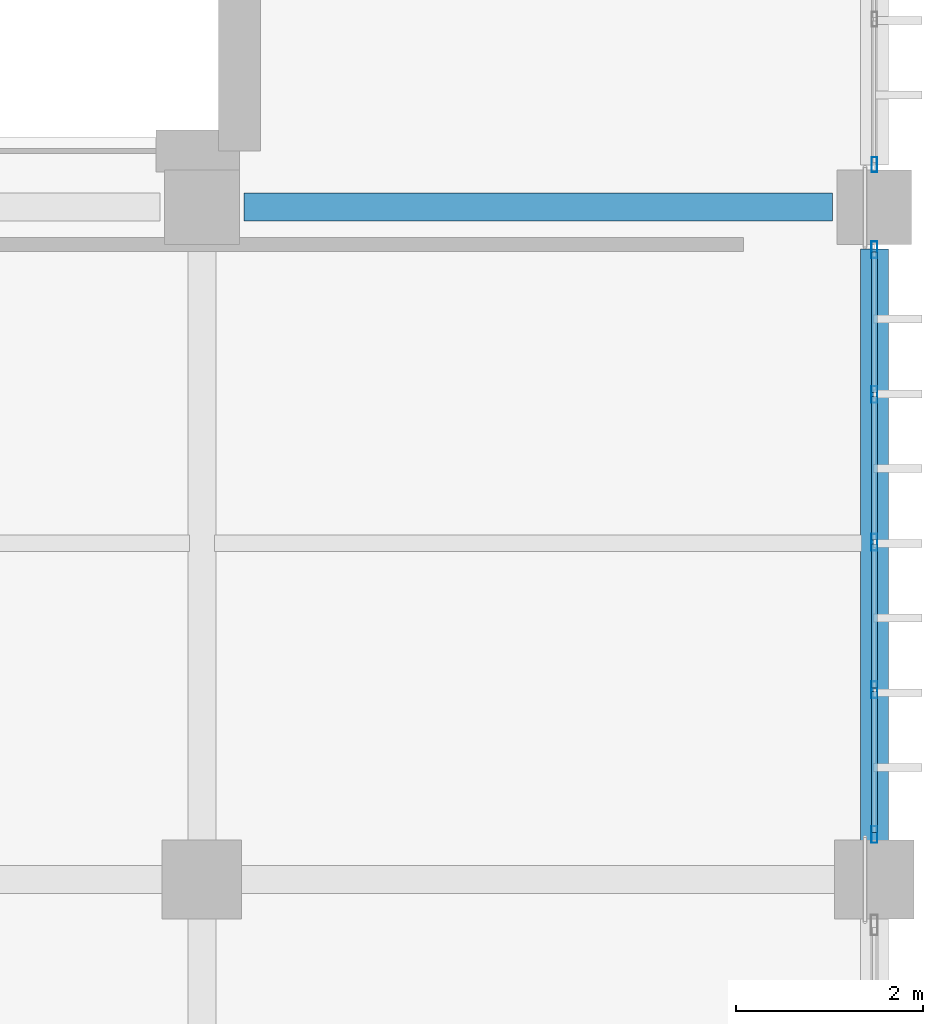
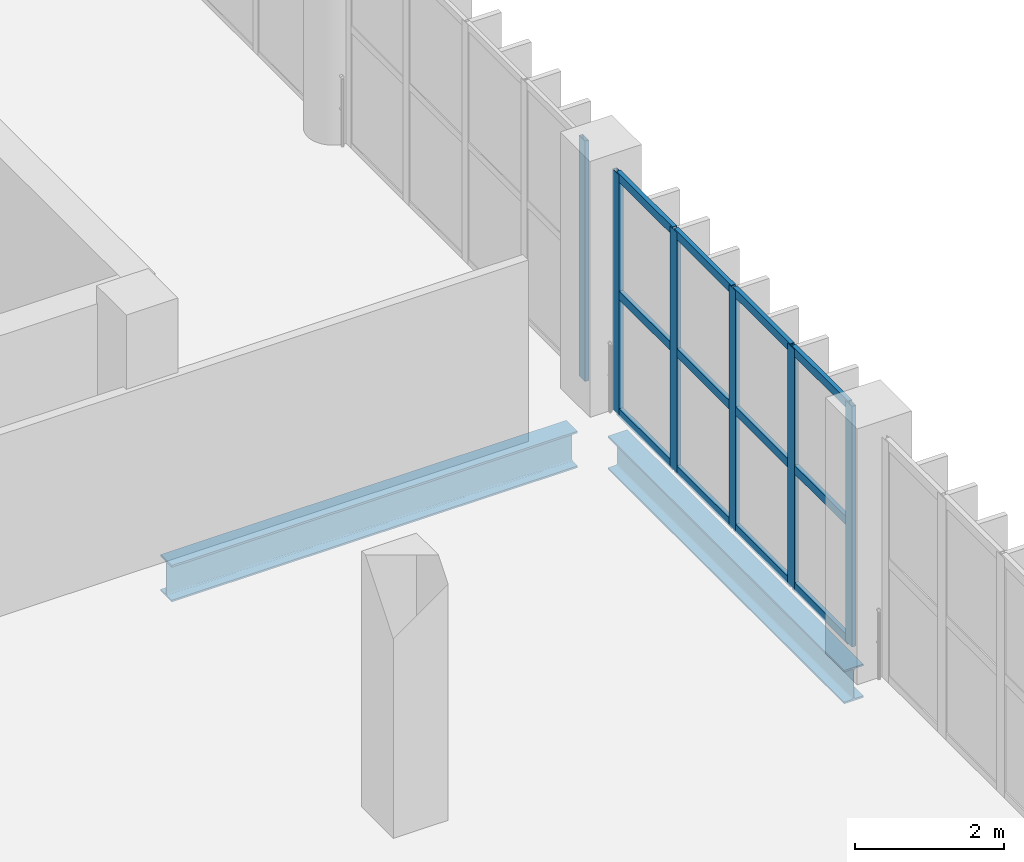
# One storey, part 88 of 153: 18 members, 2 beams, 2 elements without a shape of their own.
"""IFC4 building model written with IfcOpenShell, lengths in metres."""

from ifc_helpers import new_model, si_unit, direction, frame, origin, origin_2d, place, context, subcontext, project, spatial, hollow_rectangle, i_section, extrude, material, material_profile, profile_set, type_object, element, aggregate, save


model = new_model("IFC4")

# Units and contexts
model_context = context("Model", 3, precision=1e-05, world=origin(), true_north=direction((0.0, 1.0)))
body_context = subcontext(model_context, "Body", "Model", "MODEL_VIEW")
ifc_project = project(units=[si_unit("LENGTHUNIT", "METRE"), si_unit("AREAUNIT", "SQUARE_METRE"), si_unit("VOLUMEUNIT", "CUBIC_METRE"), si_unit("PLANEANGLEUNIT", "RADIAN"), si_unit("MASSUNIT", "GRAM", prefix="KILO")], contexts=[model_context])

# Site, building, storey
site_placement = place(None, origin())
site = spatial("IfcSite", under=ifc_project, at=site_placement, CompositionType="ELEMENT")
building_placement = place(site_placement, origin())
building = spatial("IfcBuilding", under=site, at=building_placement, Name="Qandorah Velis Arena", CompositionType="ELEMENT")
storey_placement = place(building_placement, frame((0.0, 0.0, 5.39990234375)))
storey = spatial("IfcBuildingStorey", under=building, at=storey_placement, Name="L01", CompositionType="ELEMENT", Elevation=5.39990234375)

# Curtain wall, member
ifc_material_1 = material(Name="Solar-control low-E double glazing", Category="glass")
curtain_wall_type_1 = type_object("IfcCurtainWallType", Name="ARC-CW-SYS23", PredefinedType="USERDEFINED", material=ifc_material_1)
curtain_wall_1_placement = place(storey_placement, origin())
curtain_wall_1 = element("IfcCurtainWall", 1, at=curtain_wall_1_placement, inside=storey, type_object=curtain_wall_type_1, Name="Unitised curtain wall L01-143", ObjectType="UNITISED CURTAIN WALL", PredefinedType="USERDEFINED")
ifc_material_2 = material(Name="Champagne-bronze anodized aluminium 6063-T6", Category="aluminium")
ifc_material_profile_1 = material_profile(ifc_material_2, hollow_rectangle(XDim=0.06005859375, YDim=0.159912109375, WallThickness=0.00341796875, at=origin_2d()), Name="ALU MULLION 60x160")
ifc_profile_set_1 = profile_set([ifc_material_profile_1], Name="Champagne-bronze anodized aluminium 6063-T6")
member_type_1 = type_object("IfcMemberType", Name="ARC-CWM-160", PredefinedType="MULLION", material=ifc_profile_set_1)
member_1_placement = place(storey_placement, frame((172.800048828125, 79.655029296875, -0.014892578125), z_axis=(0.0, 0.0, 1.0), x_axis=(-1.0, 0.0, 0.0)))
member_1 = element("IfcMember", 2, at=member_1_placement, type_object=member_type_1, Name="CW23 mullion 1", PredefinedType="MULLION", context=body_context, shape_type="SweptSolid", body=[
    extrude(hollow_rectangle(XDim=0.06005859375, YDim=0.159912109375, WallThickness=0.00341796875, at=origin_2d()), origin(), (0.0, 0.0, 1.0), 3.949951171875),
])
aggregate(curtain_wall_1, [member_1])

# Curtain wall, members
curtain_wall_type_2 = type_object("IfcCurtainWallType", Name="ARC-CW-SYS22", PredefinedType="USERDEFINED", material=ifc_material_1)
curtain_wall_2_placement = place(storey_placement, origin())
curtain_wall_2 = element("IfcCurtainWall", 3, at=curtain_wall_2_placement, inside=storey, type_object=curtain_wall_type_2, Name="Unitised curtain wall L01-142", ObjectType="UNITISED CURTAIN WALL", PredefinedType="USERDEFINED")
ifc_material_profile_2 = material_profile(ifc_material_2, hollow_rectangle(XDim=0.06494140625, YDim=0.179931640625, WallThickness=0.00341796875, at=origin_2d()), Name="ALU MULLION 65x180")
ifc_profile_set_2 = profile_set([ifc_material_profile_2], Name="Champagne-bronze anodized aluminium 6063-T6")
member_type_2 = type_object("IfcMemberType", Name="ARC-CWM-180", PredefinedType="MULLION", material=ifc_profile_set_2)
member_2_placement = place(storey_placement, frame((172.800048828125, 72.482421875, -0.014892578125), z_axis=(0.0, 0.0, 1.0), x_axis=(-1.0, 0.0, 0.0)))
member_2 = element("IfcMember", 4, at=member_2_placement, type_object=member_type_2, Name="CW22 mullion 1", PredefinedType="MULLION", context=body_context, shape_type="SweptSolid", body=[
    extrude(hollow_rectangle(XDim=0.06494140625, YDim=0.179931640625, WallThickness=0.00341796875, at=origin_2d()), origin(), (0.0, 0.0, 1.0), 3.949951171875),
])
member_3_placement = place(storey_placement, frame((172.800048828125, 74.03125, -0.014892578125), z_axis=(0.0, 0.0, 1.0), x_axis=(-1.0, 0.0, 0.0)))
member_3 = element("IfcMember", 5, at=member_3_placement, type_object=member_type_2, Name="CW22 mullion 2", PredefinedType="MULLION", context=body_context, shape_type="SweptSolid", body=[
    extrude(hollow_rectangle(XDim=0.06494140625, YDim=0.179931640625, WallThickness=0.00341796875, at=origin_2d()), origin(), (0.0, 0.0, 1.0), 3.949951171875),
])
member_4_placement = place(storey_placement, frame((172.800048828125, 75.612548828125, -0.014892578125), z_axis=(0.0, 0.0, 1.0), x_axis=(-1.0, 0.0, 0.0)))
member_4 = element("IfcMember", 6, at=member_4_placement, type_object=member_type_2, Name="CW22 mullion 3", PredefinedType="MULLION", context=body_context, shape_type="SweptSolid", body=[
    extrude(hollow_rectangle(XDim=0.06494140625, YDim=0.179931640625, WallThickness=0.00341796875, at=origin_2d()), origin(), (0.0, 0.0, 1.0), 3.949951171875),
])
member_5_placement = place(storey_placement, frame((172.800048828125, 77.19384765625, -0.014892578125), z_axis=(0.0, 0.0, 1.0), x_axis=(-1.0, 0.0, 0.0)))
member_5 = element("IfcMember", 7, at=member_5_placement, type_object=member_type_2, Name="CW22 mullion 4", PredefinedType="MULLION", context=body_context, shape_type="SweptSolid", body=[
    extrude(hollow_rectangle(XDim=0.06494140625, YDim=0.179931640625, WallThickness=0.00341796875, at=origin_2d()), origin(), (0.0, 0.0, 1.0), 3.949951171875),
])
member_6_placement = place(storey_placement, frame((172.800048828125, 78.742431640625, -0.014892578125), z_axis=(0.0, 0.0, 1.0), x_axis=(-1.0, 0.0, 0.0)))
member_6 = element("IfcMember", 8, at=member_6_placement, type_object=member_type_2, Name="CW22 mullion 5", PredefinedType="MULLION", context=body_context, shape_type="SweptSolid", body=[
    extrude(hollow_rectangle(XDim=0.06494140625, YDim=0.179931640625, WallThickness=0.00341796875, at=origin_2d()), origin(), (0.0, 0.0, 1.0), 3.949951171875),
])
ifc_material_profile_3 = material_profile(ifc_material_2, hollow_rectangle(XDim=0.06494140625, YDim=0.139892578125, WallThickness=0.0029296875, at=origin_2d()), Name="ALU TRANSOM 65x140")
ifc_profile_set_3 = profile_set([ifc_material_profile_3], Name="Champagne-bronze anodized aluminium 6063-T6")
member_type_3 = type_object("IfcMemberType", Name="ARC-CWT-140", PredefinedType="USERDEFINED", material=ifc_profile_set_3)
member_7_placement = place(storey_placement, frame((172.800048828125, 72.5029296875, 0.03271484375), z_axis=(0.0, 1.0, 0.0), x_axis=(-1.0, 0.0, 0.0)))
member_7 = element("IfcMember", 9, at=member_7_placement, type_object=member_type_3, Name="CW22 transom 1.1", ObjectType="TRANSOM", PredefinedType="USERDEFINED", context=body_context, shape_type="SweptSolid", body=[
    extrude(hollow_rectangle(XDim=0.06494140625, YDim=0.139892578125, WallThickness=0.0029296875, at=origin_2d()), origin(), (0.0, 0.0, 1.0), 1.5078125),
])
member_8_placement = place(storey_placement, frame((172.800048828125, 72.5029296875, 1.960205078125), z_axis=(0.0, 1.0, 0.0), x_axis=(-1.0, 0.0, 0.0)))
member_8 = element("IfcMember", 10, at=member_8_placement, type_object=member_type_3, Name="CW22 transom 1.2", ObjectType="TRANSOM", PredefinedType="USERDEFINED", context=body_context, shape_type="SweptSolid", body=[
    extrude(hollow_rectangle(XDim=0.06494140625, YDim=0.139892578125, WallThickness=0.0029296875, at=origin_2d()), origin(), (0.0, 0.0, 1.0), 1.5078125),
])
member_9_placement = place(storey_placement, frame((172.800048828125, 72.5029296875, 3.8876953125), z_axis=(0.0, 1.0, 0.0), x_axis=(-1.0, 0.0, 0.0)))
member_9 = element("IfcMember", 11, at=member_9_placement, type_object=member_type_3, Name="CW22 transom 1.3", ObjectType="TRANSOM", PredefinedType="USERDEFINED", context=body_context, shape_type="SweptSolid", body=[
    extrude(hollow_rectangle(XDim=0.06494140625, YDim=0.139892578125, WallThickness=0.0029296875, at=origin_2d()), origin(), (0.0, 0.0, 1.0), 1.5078125),
])
member_10_placement = place(storey_placement, frame((172.800048828125, 74.0517578125, 0.03271484375), z_axis=(0.0, 1.0, 0.0), x_axis=(-1.0, 0.0, 0.0)))
member_10 = element("IfcMember", 12, at=member_10_placement, type_object=member_type_3, Name="CW22 transom 2.1", ObjectType="TRANSOM", PredefinedType="USERDEFINED", context=body_context, shape_type="SweptSolid", body=[
    extrude(hollow_rectangle(XDim=0.06494140625, YDim=0.139892578125, WallThickness=0.0029296875, at=origin_2d()), origin(), (0.0, 0.0, 1.0), 1.540283203125),
])
member_11_placement = place(storey_placement, frame((172.800048828125, 74.0517578125, 1.960205078125), z_axis=(0.0, 1.0, 0.0), x_axis=(-1.0, 0.0, 0.0)))
member_11 = element("IfcMember", 13, at=member_11_placement, type_object=member_type_3, Name="CW22 transom 2.2", ObjectType="TRANSOM", PredefinedType="USERDEFINED", context=body_context, shape_type="SweptSolid", body=[
    extrude(hollow_rectangle(XDim=0.06494140625, YDim=0.139892578125, WallThickness=0.0029296875, at=origin_2d()), origin(), (0.0, 0.0, 1.0), 1.540283203125),
])
member_12_placement = place(storey_placement, frame((172.800048828125, 74.0517578125, 3.8876953125), z_axis=(0.0, 1.0, 0.0), x_axis=(-1.0, 0.0, 0.0)))
member_12 = element("IfcMember", 14, at=member_12_placement, type_object=member_type_3, Name="CW22 transom 2.3", ObjectType="TRANSOM", PredefinedType="USERDEFINED", context=body_context, shape_type="SweptSolid", body=[
    extrude(hollow_rectangle(XDim=0.06494140625, YDim=0.139892578125, WallThickness=0.0029296875, at=origin_2d()), origin(), (0.0, 0.0, 1.0), 1.540283203125),
])
member_13_placement = place(storey_placement, frame((172.800048828125, 75.633056640625, 0.03271484375), z_axis=(0.0, 1.0, 0.0), x_axis=(-1.0, 0.0, 0.0)))
member_13 = element("IfcMember", 15, at=member_13_placement, type_object=member_type_3, Name="CW22 transom 3.1", ObjectType="TRANSOM", PredefinedType="USERDEFINED", context=body_context, shape_type="SweptSolid", body=[
    extrude(hollow_rectangle(XDim=0.06494140625, YDim=0.139892578125, WallThickness=0.0029296875, at=origin_2d()), origin(), (0.0, 0.0, 1.0), 1.540283203125),
])
member_14_placement = place(storey_placement, frame((172.800048828125, 75.633056640625, 1.960205078125), z_axis=(0.0, 1.0, 0.0), x_axis=(-1.0, 0.0, 0.0)))
member_14 = element("IfcMember", 16, at=member_14_placement, type_object=member_type_3, Name="CW22 transom 3.2", ObjectType="TRANSOM", PredefinedType="USERDEFINED", context=body_context, shape_type="SweptSolid", body=[
    extrude(hollow_rectangle(XDim=0.06494140625, YDim=0.139892578125, WallThickness=0.0029296875, at=origin_2d()), origin(), (0.0, 0.0, 1.0), 1.540283203125),
])
member_15_placement = place(storey_placement, frame((172.800048828125, 75.633056640625, 3.8876953125), z_axis=(0.0, 1.0, 0.0), x_axis=(-1.0, 0.0, 0.0)))
member_15 = element("IfcMember", 17, at=member_15_placement, type_object=member_type_3, Name="CW22 transom 3.3", ObjectType="TRANSOM", PredefinedType="USERDEFINED", context=body_context, shape_type="SweptSolid", body=[
    extrude(hollow_rectangle(XDim=0.06494140625, YDim=0.139892578125, WallThickness=0.0029296875, at=origin_2d()), origin(), (0.0, 0.0, 1.0), 1.540283203125),
])
member_16_placement = place(storey_placement, frame((172.800048828125, 77.21435546875, 0.03271484375), z_axis=(0.0, 1.0, 0.0), x_axis=(-1.0, 0.0, 0.0)))
member_16 = element("IfcMember", 18, at=member_16_placement, type_object=member_type_3, Name="CW22 transom 4.1", ObjectType="TRANSOM", PredefinedType="USERDEFINED", context=body_context, shape_type="SweptSolid", body=[
    extrude(hollow_rectangle(XDim=0.06494140625, YDim=0.139892578125, WallThickness=0.0029296875, at=origin_2d()), origin(), (0.0, 0.0, 1.0), 1.507568359375),
])
member_17_placement = place(storey_placement, frame((172.800048828125, 77.21435546875, 1.960205078125), z_axis=(0.0, 1.0, 0.0), x_axis=(-1.0, 0.0, 0.0)))
member_17 = element("IfcMember", 19, at=member_17_placement, type_object=member_type_3, Name="CW22 transom 4.2", ObjectType="TRANSOM", PredefinedType="USERDEFINED", context=body_context, shape_type="SweptSolid", body=[
    extrude(hollow_rectangle(XDim=0.06494140625, YDim=0.139892578125, WallThickness=0.0029296875, at=origin_2d()), origin(), (0.0, 0.0, 1.0), 1.507568359375),
])
member_18_placement = place(storey_placement, frame((172.800048828125, 77.21435546875, 3.8876953125), z_axis=(0.0, 1.0, 0.0), x_axis=(-1.0, 0.0, 0.0)))
member_18 = element("IfcMember", 20, at=member_18_placement, type_object=member_type_3, Name="CW22 transom 4.3", ObjectType="TRANSOM", PredefinedType="USERDEFINED", context=body_context, shape_type="SweptSolid", body=[
    extrude(hollow_rectangle(XDim=0.06494140625, YDim=0.139892578125, WallThickness=0.0029296875, at=origin_2d()), origin(), (0.0, 0.0, 1.0), 1.507568359375),
])
aggregate(curtain_wall_2, [member_2, member_3, member_4, member_5, member_6, member_7, member_8, member_9, member_10, member_11, member_12, member_13, member_14, member_15, member_16, member_17, member_18])

# Beams
ifc_material_3 = material(Name="Steel S355", Category="steel")
ifc_material_profile_4 = material_profile(ifc_material_3, i_section(OverallWidth=0.300048828125, OverallDepth=0.550048828125, WebThickness=0.014892578125, FlangeThickness=0.029052734375, FilletRadius=0.027099609375, at=origin_2d()), Name="HEB 550")
ifc_profile_set_4 = profile_set([ifc_material_profile_4], Name="Steel S355")
beam_type_1 = type_object("IfcBeamType", Name="STR-BM-HEB550", PredefinedType="BEAM", material=ifc_profile_set_4)
beam_1_placement = place(storey_placement, frame((172.800048828125, 72.39990234375, -0.635009765625), z_axis=(0.0, 1.0, 0.0), x_axis=(-1.0, 0.0, 0.0)))
element("IfcBeam", 21, at=beam_1_placement, inside=storey, type_object=beam_type_1, Name="Primary floor girder L01 Y-424", PredefinedType="BEAM", context=body_context, shape_type="SweptSolid", body=[
    extrude(i_section(OverallWidth=0.300048828125, OverallDepth=0.550048828125, WebThickness=0.014892578125, FlangeThickness=0.029052734375, FilletRadius=0.027099609375, at=origin_2d()), origin(), (0.0, 0.0, 1.0), 6.35009765625),
])
ifc_material_profile_5 = material_profile(ifc_material_3, i_section(OverallWidth=0.300048828125, OverallDepth=0.60009765625, WebThickness=0.015380859375, FlangeThickness=0.030029296875, FilletRadius=0.027099609375, at=origin_2d()), Name="HEB 600")
ifc_profile_set_5 = profile_set([ifc_material_profile_5], Name="Steel S355")
beam_type_2 = type_object("IfcBeamType", Name="STR-BM-HEB600", PredefinedType="BEAM", material=ifc_profile_set_5)
beam_2_placement = place(storey_placement, frame((166.050048828125, 79.199951171875, -0.659912109375), z_axis=(1.0, 0.0, 0.0), x_axis=(0.0, 1.0, 0.0)))
element("IfcBeam", 22, at=beam_2_placement, inside=storey, type_object=beam_type_2, Name="Primary floor girder L01 X-129", PredefinedType="BEAM", context=body_context, shape_type="SweptSolid", body=[
    extrude(i_section(OverallWidth=0.300048828125, OverallDepth=0.60009765625, WebThickness=0.015380859375, FlangeThickness=0.030029296875, FilletRadius=0.027099609375, at=origin_2d()), origin(), (0.0, 0.0, 1.0), 6.300048828125),
])

save(model, "model.ifc")
